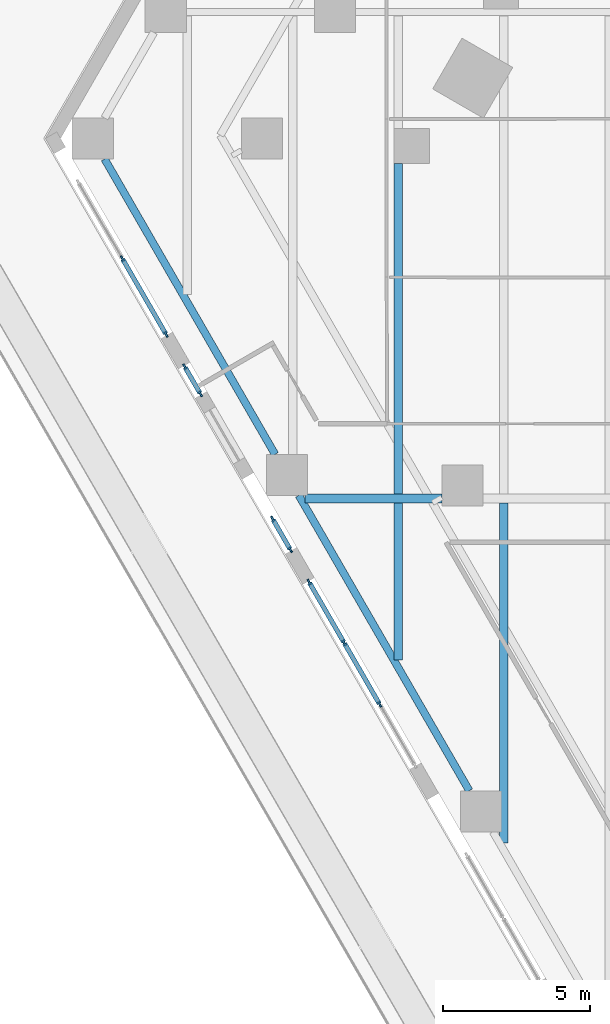
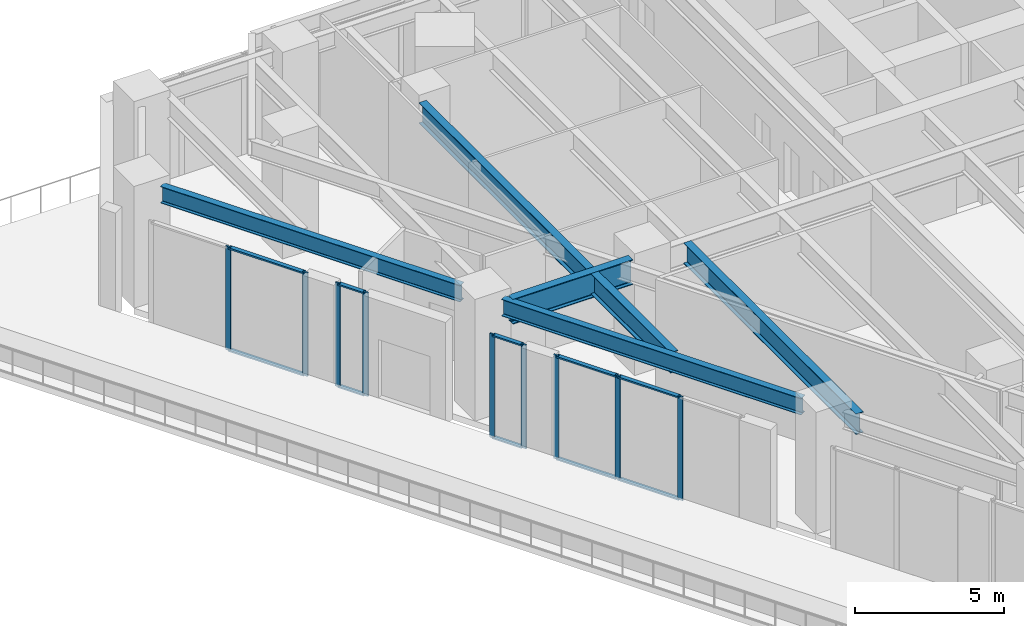
# One storey, part 6 of 31: 19 members, 6 beams, 4 elements without a shape of their own.
"""IFC4 building model written with IfcOpenShell, lengths in metres."""

import ifcopenshell
import ifcopenshell.guid

model = None  # the IFC model being written
_history = None  # IfcOwnerHistory: only IFC2X3 demands one
_inside = {}  # id of a spatial element -> (the spatial element, [elements in it])
_under = {}  # id of a project, library or spatial element -> (it, [spatial elements below it])
_declared = {}  # id of a project -> (the project, [libraries it declares])
_typed = {}  # id of a type object -> (the type object, [elements of that type])
_made_of = {}  # id of a material, layer set ... -> (it, [elements and type objects made of it])


def new_model(schema):
    """Start an empty IFC model of exactly this schema.

    Asked for "IFC4X3", IfcOpenShell would pick the latest addendum, in which some entities
    have other attributes; the version numbers below select the first issue.
    IFC2X3 requires an IfcOwnerHistory on every rooted entity: one is made here for all.
    """
    global model, _history
    if schema == "IFC4X3":
        model = ifcopenshell.file(schema_version=(4, 3, 0, 0))
    else:
        model = ifcopenshell.file(schema=schema)
    _inside.clear()
    _under.clear()
    _declared.clear()
    _typed.clear()
    _made_of.clear()
    _history = None
    if model.schema == "IFC2X3":
        org = make("IfcOrganization", Name="unknown")
        user = make(
            "IfcPersonAndOrganization",
            ThePerson=make("IfcPerson", FamilyName="unknown"),
            TheOrganization=org,
        )
        app = make(
            "IfcApplication",
            ApplicationDeveloper=org,
            Version="unknown",
            ApplicationFullName="unknown",
            ApplicationIdentifier="unknown",
        )
        _history = make(
            "IfcOwnerHistory",
            OwningUser=user,
            OwningApplication=app,
            ChangeAction="ADDED",
            CreationDate=0,
        )
    return model


def make(cls, **values):
    """One entity of the class cls with the attributes given. An attribute that is None is left unset."""
    return model.create_entity(
        cls, **{name: value for name, value in values.items() if value is not None}
    )


def rooted(cls, **values):
    """An entity with a GlobalId (a new one), such as an element, a storey or a relation."""
    return make(cls, GlobalId=ifcopenshell.guid.new(), OwnerHistory=_history, **values)


def si_unit(unit_type, name, prefix=None):
    """IfcSIUnit, for example si_unit("LENGTHUNIT", "METRE", prefix="MILLI")."""
    return make("IfcSIUnit", UnitType=unit_type, Prefix=prefix, Name=name)


def assignment(units):
    """IfcUnitAssignment: the units of a project."""
    return None if units is None else make("IfcUnitAssignment", Units=units)


def point(xyz):
    """IfcCartesianPoint."""
    return None if xyz is None else make("IfcCartesianPoint", Coordinates=xyz)


def direction(xyz):
    """IfcDirection."""
    return None if xyz is None else make("IfcDirection", DirectionRatios=xyz)


def frame(location, z_axis=None, x_axis=None):
    """IfcAxis2Placement3D, a coordinate frame: its origin and axes. An axis left out is left unset."""
    return make(
        "IfcAxis2Placement3D",
        Location=point(location),
        Axis=direction(z_axis),
        RefDirection=direction(x_axis),
    )


def frame_2d(location, x_axis=None):
    """IfcAxis2Placement2D, a coordinate frame in the plane: its origin and x axis."""
    return make(
        "IfcAxis2Placement2D", Location=point(location), RefDirection=direction(x_axis)
    )


def origin():
    """The frame at (0, 0, 0) with its axes left unset."""
    return frame((0.0, 0.0, 0.0))


def origin_2d():
    """The frame at (0, 0) in the plane with its x axis left unset."""
    return frame_2d((0.0, 0.0))


def place(relative_to, where):
    """IfcLocalPlacement: puts the frame where relative to a parent placement (None: the world)."""
    return make(
        "IfcLocalPlacement", PlacementRelTo=relative_to, RelativePlacement=where
    )


def context(
    kind, dimensions, precision=None, world=None, true_north=None, identifier=None
):
    """IfcGeometricRepresentationContext, for example the 3D "Model" context."""
    return make(
        "IfcGeometricRepresentationContext",
        ContextIdentifier=identifier,
        ContextType=kind,
        CoordinateSpaceDimension=dimensions,
        Precision=precision,
        WorldCoordinateSystem=world,
        TrueNorth=true_north,
    )


def subcontext(parent, identifier, kind, view, scale=None):
    """IfcGeometricRepresentationSubContext, for example "Body" below "Model"."""
    return make(
        "IfcGeometricRepresentationSubContext",
        ContextIdentifier=identifier,
        ContextType=kind,
        ParentContext=parent,
        TargetScale=scale,
        TargetView=view,
    )


def project(units=None, contexts=None):
    """IfcProject with its units and contexts."""
    return rooted(
        "IfcProject",
        Name="project",
        RepresentationContexts=contexts,
        UnitsInContext=assignment(units),
    )


def spatial(cls, under=None, at=None, **own):
    """A site, building, storey or space (cls), placed at a placement, below another one or the project."""
    s = rooted(cls, ObjectPlacement=at, **own)
    if under is not None:
        _under.setdefault(under.id(), (under, []))[1].append(s)
    return s


def profile(cls, at=None, kind="AREA", **sizes):
    """A parametric profile (cls). Its sizes go by their IFC names, for example OverallWidth=200.0."""
    return make(cls, ProfileType=kind, Position=at, **sizes)


def rectangle(**sizes):
    """IfcRectangleProfileDef."""
    return profile("IfcRectangleProfileDef", **sizes)


def i_section(**sizes):
    """IfcIShapeProfileDef."""
    return profile("IfcIShapeProfileDef", **sizes)


def extrude(swept, where, along, depth):
    """IfcExtrudedAreaSolid: the profile swept, set in the frame where, extruded along a direction by depth."""
    return make(
        "IfcExtrudedAreaSolid",
        SweptArea=swept,
        Position=where,
        ExtrudedDirection=direction(along),
        Depth=depth,
    )


def shape(context_of_items, identifier, shape_type, items):
    """IfcShapeRepresentation: the items that make up one representation, for example the "Body"."""
    return make(
        "IfcShapeRepresentation",
        ContextOfItems=context_of_items,
        RepresentationIdentifier=identifier,
        RepresentationType=shape_type,
        Items=items,
    )


def material(Name=None, Category=None):
    """IfcMaterial."""
    return make("IfcMaterial", Name=Name, Category=Category)


def material_profile(
    of_material, cross_section, Name=None, Category=None, Priority=None
):
    """IfcMaterialProfile: a cross section and its material."""
    return make(
        "IfcMaterialProfile",
        Name=Name,
        Material=of_material,
        Profile=cross_section,
        Priority=Priority,
        Category=Category,
    )


def profile_set(profiles, Name=None, composite=None):
    """IfcMaterialProfileSet."""
    return make(
        "IfcMaterialProfileSet",
        Name=Name,
        MaterialProfiles=profiles,
        CompositeProfile=composite,
    )


def made_of(thing, what):
    """Note that an element or type object is made of a material, layer set ...; save() writes the relation."""
    if what is not None:
        _made_of.setdefault(what.id(), (what, []))[1].append(thing)
    return thing


def type_object(cls, material=None, **own):
    """A type object (cls), such as IfcWallType, which elements share."""
    return made_of(rooted(cls, **own), material)


def element(
    cls,
    number,
    at=None,
    inside=None,
    cuts=None,
    type_object=None,
    material=None,
    context=None,
    identifier="Body",
    shape_type=None,
    held_by="IfcProductDefinitionShape",
    body=None,
    shapes=None,
    **own,
):
    """One element of the class cls, such as IfcWall. Its Tag is "e" and its number.

    at: its placement. inside: the storey or other place that contains it. cuts: it is an
    opening in that element (IfcRelVoidsElement). A single representation is given by context,
    identifier, shape_type and body (its items); several are given by shapes. held_by: the class
    of the entity that holds the representations. save() writes the other relations.
    """
    e = rooted(cls, Tag="e%d" % number, ObjectPlacement=at, **own)
    if body is not None:
        shapes = [shape(context, identifier, shape_type, body)]
    if shapes is not None:
        e.Representation = make(held_by, Representations=shapes)
    if inside is not None:
        _inside.setdefault(inside.id(), (inside, []))[1].append(e)
    if cuts is not None:
        rooted(
            "IfcRelVoidsElement", RelatingBuildingElement=cuts, RelatedOpeningElement=e
        )
    if type_object is not None:
        _typed.setdefault(type_object.id(), (type_object, []))[1].append(e)
    return made_of(e, material)


def aggregate(whole, parts):
    """IfcRelAggregates: a whole, such as a stair, and the parts it consists of."""
    return rooted("IfcRelAggregates", RelatingObject=whole, RelatedObjects=parts)


def save(model, path):
    """Write the relations noted so far, then the file.

    IfcRelAggregates (storeys below a building ...), IfcRelContainedInSpatialStructure (elements
    in a storey), IfcRelDefinesByType, IfcRelAssociatesMaterial and IfcRelDeclares: one each for
    every whole, place, type object, material and project.
    """
    for whole, parts in _under.values():
        aggregate(whole, parts)
    for where, things in _inside.values():
        rooted(
            "IfcRelContainedInSpatialStructure",
            RelatedElements=things,
            RelatingStructure=where,
        )
    for kind, things in _typed.values():
        rooted("IfcRelDefinesByType", RelatedObjects=things, RelatingType=kind)
    for what, things in _made_of.values():
        rooted("IfcRelAssociatesMaterial", RelatedObjects=things, RelatingMaterial=what)
    for by, libraries in _declared.values():
        rooted("IfcRelDeclares", RelatingContext=by, RelatedDefinitions=libraries)
    model.write(path)


model = new_model("IFC4")

# Units and contexts
model_context = context("Model", 3, precision=1e-05, world=origin(), true_north=direction((0.0, 1.0)))
body_context = subcontext(model_context, "Body", "Model", "MODEL_VIEW")
ifc_project = project(units=[si_unit("LENGTHUNIT", "METRE"), si_unit("AREAUNIT", "SQUARE_METRE"), si_unit("VOLUMEUNIT", "CUBIC_METRE"), si_unit("PLANEANGLEUNIT", "RADIAN"), si_unit("MASSUNIT", "GRAM", prefix="KILO")], contexts=[model_context])

# Site, building, storey
site_placement = place(None, origin())
site = spatial("IfcSite", under=ifc_project, at=site_placement, CompositionType="ELEMENT")
building_placement = place(site_placement, origin())
building = spatial("IfcBuilding", under=site, at=building_placement, Name="Aloe Facet Convention Tower", CompositionType="ELEMENT")
storey_placement = place(building_placement, frame((0.0, 0.0, 25.0)))
storey = spatial("IfcBuildingStorey", under=building, at=storey_placement, Name="L04", CompositionType="ELEMENT", Elevation=25.0)

# Curtain wall, members
ifc_material_1 = material(Name="Aluminium, anodised", Category="aluminium")
curtain_wall_type = type_object("IfcCurtainWallType", Name="EV-CW-HALL", PredefinedType="USERDEFINED", material=ifc_material_1)
curtain_wall_1_placement = place(storey_placement, origin())
curtain_wall_1 = element("IfcCurtainWall", 1, at=curtain_wall_1_placement, inside=storey, type_object=curtain_wall_type, Name="CW-L04-W02", ObjectType="UNITISED HALL GLAZING", PredefinedType="USERDEFINED")
ifc_material_2 = material(Name="Aluminium, anodised", Category="aluminium")
ifc_material_profile_1 = material_profile(ifc_material_2, rectangle(XDim=0.06494140625, YDim=0.199951171875, at=origin_2d()), Name="AL 65x200")
ifc_profile_set_1 = profile_set([ifc_material_profile_1], Name="Aluminium, anodised")
member_type_1 = type_object("IfcMemberType", Name="EV-MULL-HALL", PredefinedType="MULLION", material=ifc_profile_set_1)
member_1_placement = place(storey_placement, frame((45.3779296875, 125.187744140625, -0.25), z_axis=(0.0, 0.0, 1.0), x_axis=(0.866025403758, 0.500000000045, 0.0)))
member_1 = element("IfcMember", 2, at=member_1_placement, type_object=member_type_1, Name="CW-L04-W02 mullion 2", PredefinedType="MULLION", context=body_context, shape_type="SweptSolid", body=[
    extrude(rectangle(XDim=0.06494140625, YDim=0.199951171875, at=origin_2d()), origin(), (0.0, 0.0, 1.0), 4.262451171875),
])
member_2_placement = place(storey_placement, frame((46.875, 122.5947265625, -0.25), z_axis=(0.0, 0.0, 1.0), x_axis=(0.866025403758, 0.500000000045, 0.0)))
member_2 = element("IfcMember", 3, at=member_2_placement, type_object=member_type_1, Name="CW-L04-W02 mullion 3", PredefinedType="MULLION", context=body_context, shape_type="SweptSolid", body=[
    extrude(rectangle(XDim=0.06494140625, YDim=0.199951171875, at=origin_2d()), origin(), (0.0, 0.0, 1.0), 4.262451171875),
])

curtain_wall_2_placement = place(storey_placement, origin())
curtain_wall_2 = element("IfcCurtainWall", 4, at=curtain_wall_2_placement, inside=storey, type_object=curtain_wall_type, Name="CW-L04-W04A", ObjectType="UNITISED HALL GLAZING", PredefinedType="USERDEFINED")
member_3_placement = place(storey_placement, frame((47.507568359375, 121.499267578125, -0.25), z_axis=(0.0, 0.0, 1.0), x_axis=(0.866025403619, 0.500000000287, 0.0)))
member_3 = element("IfcMember", 5, at=member_3_placement, type_object=member_type_1, Name="CW-L04-W04A mullion 1", PredefinedType="MULLION", context=body_context, shape_type="SweptSolid", body=[
    extrude(rectangle(XDim=0.06494140625, YDim=0.199951171875, at=origin_2d()), origin(), (0.0, 0.0, 1.0), 4.262451171875),
])
member_4_placement = place(storey_placement, frame((48.046630859375, 120.5654296875, -0.25), z_axis=(0.0, 0.0, 1.0), x_axis=(0.866025403619, 0.500000000287, 0.0)))
member_4 = element("IfcMember", 6, at=member_4_placement, type_object=member_type_1, Name="CW-L04-W04A mullion 2", PredefinedType="MULLION", context=body_context, shape_type="SweptSolid", body=[
    extrude(rectangle(XDim=0.06494140625, YDim=0.199951171875, at=origin_2d()), origin(), (0.0, 0.0, 1.0), 4.262451171875),
])

curtain_wall_3_placement = place(storey_placement, origin())
curtain_wall_3 = element("IfcCurtainWall", 7, at=curtain_wall_3_placement, inside=storey, type_object=curtain_wall_type, Name="CW-L04-W04B", ObjectType="UNITISED HALL GLAZING", PredefinedType="USERDEFINED")
member_5_placement = place(storey_placement, frame((50.508056640625, 116.30224609375, -0.25), z_axis=(0.0, 0.0, 1.0), x_axis=(0.866025403671, 0.500000000196, 0.0)))
member_5 = element("IfcMember", 8, at=member_5_placement, type_object=member_type_1, Name="CW-L04-W04B mullion 1", PredefinedType="MULLION", context=body_context, shape_type="SweptSolid", body=[
    extrude(rectangle(XDim=0.06494140625, YDim=0.199951171875, at=origin_2d()), origin(), (0.0, 0.0, 1.0), 4.262451171875),
])
member_6_placement = place(storey_placement, frame((51.118408203125, 115.2451171875, -0.25), z_axis=(0.0, 0.0, 1.0), x_axis=(0.866025403671, 0.500000000196, 0.0)))
member_6 = element("IfcMember", 9, at=member_6_placement, type_object=member_type_1, Name="CW-L04-W04B mullion 2", PredefinedType="MULLION", context=body_context, shape_type="SweptSolid", body=[
    extrude(rectangle(XDim=0.06494140625, YDim=0.199951171875, at=origin_2d()), origin(), (0.0, 0.0, 1.0), 4.262451171875),
])

curtain_wall_4_placement = place(storey_placement, origin())
curtain_wall_4 = element("IfcCurtainWall", 10, at=curtain_wall_4_placement, inside=storey, type_object=curtain_wall_type, Name="CW-L04-W06", ObjectType="UNITISED HALL GLAZING", PredefinedType="USERDEFINED")
member_7_placement = place(storey_placement, frame((51.750732421875, 114.1494140625, -0.25), z_axis=(0.0, 0.0, 1.0), x_axis=(0.866025403758, 0.500000000045, 0.0)))
member_7 = element("IfcMember", 11, at=member_7_placement, type_object=member_type_1, Name="CW-L04-W06 mullion 1", PredefinedType="MULLION", context=body_context, shape_type="SweptSolid", body=[
    extrude(rectangle(XDim=0.06494140625, YDim=0.199951171875, at=origin_2d()), origin(), (0.0, 0.0, 1.0), 4.262451171875),
])
member_8_placement = place(storey_placement, frame((52.948974609375, 112.07421875, -0.25), z_axis=(0.0, 0.0, 1.0), x_axis=(0.866025403758, 0.500000000045, 0.0)))
member_8 = element("IfcMember", 12, at=member_8_placement, type_object=member_type_1, Name="CW-L04-W06 mullion 2", PredefinedType="MULLION", context=body_context, shape_type="SweptSolid", body=[
    extrude(rectangle(XDim=0.06494140625, YDim=0.199951171875, at=origin_2d()), origin(), (0.0, 0.0, 1.0), 4.262451171875),
])
member_9_placement = place(storey_placement, frame((54.16357421875, 109.970703125, -0.25), z_axis=(0.0, 0.0, 1.0), x_axis=(0.866025403758, 0.500000000045, 0.0)))
member_9 = element("IfcMember", 13, at=member_9_placement, type_object=member_type_1, Name="CW-L04-W06 mullion 3", PredefinedType="MULLION", context=body_context, shape_type="SweptSolid", body=[
    extrude(rectangle(XDim=0.06494140625, YDim=0.199951171875, at=origin_2d()), origin(), (0.0, 0.0, 1.0), 4.262451171875),
])

# Member
ifc_material_3 = material(Name="Aluminium, anodised", Category="aluminium")
ifc_material_profile_2 = material_profile(ifc_material_3, rectangle(XDim=0.159912109375, YDim=0.06494140625, at=origin_2d()), Name="AL 160x65")
ifc_profile_set_2 = profile_set([ifc_material_profile_2], Name="Aluminium, anodised")
member_type_2 = type_object("IfcMemberType", Name="EV-TRAN-HALL", PredefinedType="USERDEFINED", material=ifc_profile_set_2)
member_10_placement = place(storey_placement, frame((45.39404296875, 125.15966796875, -0.217529296875), z_axis=(0.49998458238, -0.866034304969, 0.0), x_axis=(0.866034304969, 0.49998458238, 0.0)))
member_10 = element("IfcMember", 14, at=member_10_placement, type_object=member_type_2, Name="CW-L04-W02 transom 2.1", ObjectType="TRANSOM", PredefinedType="USERDEFINED", context=body_context, shape_type="SweptSolid", body=[
    extrude(rectangle(XDim=0.159912109375, YDim=0.06494140625, at=origin_2d()), origin(), (0.0, 0.0, 1.0), 2.92919921875),
])

member_11_placement = place(storey_placement, frame((45.39404296875, 125.15966796875, 3.97998046875), z_axis=(0.49998458238, -0.866034304969, 0.0), x_axis=(0.866034304969, 0.49998458238, 0.0)))
member_11 = element("IfcMember", 15, at=member_11_placement, type_object=member_type_2, Name="CW-L04-W02 transom 2.2", ObjectType="TRANSOM", PredefinedType="USERDEFINED", context=body_context, shape_type="SweptSolid", body=[
    extrude(rectangle(XDim=0.159912109375, YDim=0.06494140625, at=origin_2d()), origin(), (0.0, 0.0, 1.0), 2.92919921875),
])

aggregate(curtain_wall_1, [member_1, member_2, member_10, member_11])

member_12_placement = place(storey_placement, frame((47.523681640625, 121.47119140625, -0.217529296875), z_axis=(0.500076921396, -0.865980988641, 0.0), x_axis=(0.865980988641, 0.500076921396, 0.0)))
member_12 = element("IfcMember", 16, at=member_12_placement, type_object=member_type_2, Name="CW-L04-W04A transom 1.1", ObjectType="TRANSOM", PredefinedType="USERDEFINED", context=body_context, shape_type="SweptSolid", body=[
    extrude(rectangle(XDim=0.159912109375, YDim=0.06494140625, at=origin_2d()), origin(), (0.0, 0.0, 1.0), 1.013427734375),
])

member_13_placement = place(storey_placement, frame((47.523681640625, 121.47119140625, 3.97998046875), z_axis=(0.500076921396, -0.865980988641, 0.0), x_axis=(0.865980988641, 0.500076921396, 0.0)))
member_13 = element("IfcMember", 17, at=member_13_placement, type_object=member_type_2, Name="CW-L04-W04A transom 1.2", ObjectType="TRANSOM", PredefinedType="USERDEFINED", context=body_context, shape_type="SweptSolid", body=[
    extrude(rectangle(XDim=0.159912109375, YDim=0.06494140625, at=origin_2d()), origin(), (0.0, 0.0, 1.0), 1.013427734375),
])

aggregate(curtain_wall_2, [member_3, member_4, member_12, member_13])

member_14_placement = place(storey_placement, frame((50.524169921875, 116.27392578125, -0.217529296875), z_axis=(0.500069914133, -0.865985035078, 0.0), x_axis=(0.865985035078, 0.500069914133, 0.0)))
member_14 = element("IfcMember", 18, at=member_14_placement, type_object=member_type_2, Name="CW-L04-W04B transom 1.1", ObjectType="TRANSOM", PredefinedType="USERDEFINED", context=body_context, shape_type="SweptSolid", body=[
    extrude(rectangle(XDim=0.159912109375, YDim=0.06494140625, at=origin_2d()), origin(), (0.0, 0.0, 1.0), 1.155517578125),
])

member_15_placement = place(storey_placement, frame((50.524169921875, 116.27392578125, 3.97998046875), z_axis=(0.500069914133, -0.865985035078, 0.0), x_axis=(0.865985035078, 0.500069914133, 0.0)))
member_15 = element("IfcMember", 19, at=member_15_placement, type_object=member_type_2, Name="CW-L04-W04B transom 1.2", ObjectType="TRANSOM", PredefinedType="USERDEFINED", context=body_context, shape_type="SweptSolid", body=[
    extrude(rectangle(XDim=0.159912109375, YDim=0.06494140625, at=origin_2d()), origin(), (0.0, 0.0, 1.0), 1.155517578125),
])

aggregate(curtain_wall_3, [member_5, member_6, member_14, member_15])

member_16_placement = place(storey_placement, frame((51.76708984375, 114.121337890625, -0.217529296875), z_axis=(0.500024603663, -0.866011198387, 0.0), x_axis=(0.866011198387, 0.500024603663, 0.0)))
member_16 = element("IfcMember", 20, at=member_16_placement, type_object=member_type_2, Name="CW-L04-W06 transom 1.1", ObjectType="TRANSOM", PredefinedType="USERDEFINED", context=body_context, shape_type="SweptSolid", body=[
    extrude(rectangle(XDim=0.159912109375, YDim=0.06494140625, at=origin_2d()), origin(), (0.0, 0.0, 1.0), 2.33154296875),
])

member_17_placement = place(storey_placement, frame((51.76708984375, 114.121337890625, 3.97998046875), z_axis=(0.500024603663, -0.866011198387, 0.0), x_axis=(0.866011198387, 0.500024603663, 0.0)))
member_17 = element("IfcMember", 21, at=member_17_placement, type_object=member_type_2, Name="CW-L04-W06 transom 1.2", ObjectType="TRANSOM", PredefinedType="USERDEFINED", context=body_context, shape_type="SweptSolid", body=[
    extrude(rectangle(XDim=0.159912109375, YDim=0.06494140625, at=origin_2d()), origin(), (0.0, 0.0, 1.0), 2.33154296875),
])

member_18_placement = place(storey_placement, frame((52.96533203125, 112.0458984375, -0.217529296875), z_axis=(0.49999364752, -0.86602907136, 0.0), x_axis=(0.86602907136, 0.49999364752, 0.0)))
member_18 = element("IfcMember", 22, at=member_18_placement, type_object=member_type_2, Name="CW-L04-W06 transom 2.1", ObjectType="TRANSOM", PredefinedType="USERDEFINED", context=body_context, shape_type="SweptSolid", body=[
    extrude(rectangle(XDim=0.159912109375, YDim=0.06494140625, at=origin_2d()), origin(), (0.0, 0.0, 1.0), 2.36376953125),
])

member_19_placement = place(storey_placement, frame((52.96533203125, 112.0458984375, 3.97998046875), z_axis=(0.49999364752, -0.86602907136, 0.0), x_axis=(0.86602907136, 0.49999364752, 0.0)))
member_19 = element("IfcMember", 23, at=member_19_placement, type_object=member_type_2, Name="CW-L04-W06 transom 2.2", ObjectType="TRANSOM", PredefinedType="USERDEFINED", context=body_context, shape_type="SweptSolid", body=[
    extrude(rectangle(XDim=0.159912109375, YDim=0.06494140625, at=origin_2d()), origin(), (0.0, 0.0, 1.0), 2.36376953125),
])

aggregate(curtain_wall_4, [member_7, member_8, member_9, member_16, member_17, member_18, member_19])

# Beams
ifc_material_4 = material(Name="Steel S355", Category="steel")
ifc_material_profile_3 = material_profile(ifc_material_4, i_section(OverallWidth=0.305419921875, OverallDepth=1.02587890625, WebThickness=0.02001953125, FlangeThickness=0.031005859375, FilletRadius=0.030029296875, at=origin_2d()), Name="UB 1016x305x349")
ifc_profile_set_3 = profile_set([ifc_material_profile_3], Name="Steel S355")
beam_type_1 = type_object("IfcBeamType", Name="SF-B-UB1016x305x349", PredefinedType="BEAM", material=ifc_profile_set_3)
beam_1_placement = place(storey_placement, frame((51.618896484375, 117.0, 4.18701171875), z_axis=(1.0, 0.0, 0.0), x_axis=(0.0, 1.0, 0.0)))
element("IfcBeam", 24, at=beam_1_placement, inside=storey, type_object=beam_type_1, Name="Floor beam FB-L05-020", PredefinedType="BEAM", context=body_context, shape_type="SweptSolid", body=[
    extrude(i_section(OverallWidth=0.305419921875, OverallDepth=1.02587890625, WebThickness=0.02001953125, FlangeThickness=0.031005859375, FilletRadius=0.030029296875, at=origin_2d()), origin(), (0.0, 0.0, 1.0), 4.6650390625),
])
ifc_material_5 = material(Name="Steel S355", Category="steel")
ifc_material_profile_4 = material_profile(ifc_material_5, i_section(OverallWidth=0.25439453125, OverallDepth=0.6875, WebThickness=0.01318359375, FlangeThickness=0.02099609375, FilletRadius=0.01513671875, at=origin_2d()), Name="UB 686x254x152")
ifc_profile_set_4 = profile_set([ifc_material_profile_4], Name="Steel S355")
beam_type_2 = type_object("IfcBeamType", Name="SF-B-UB686x254x152", PredefinedType="BEAM", material=ifc_profile_set_4)
beam_2_placement = place(storey_placement, frame((50.593017578125, 118.5048828125, 4.356201171875), z_axis=(-0.499994831492, 0.866028387804, 0.0), x_axis=(-0.866028387804, -0.499994831492, 0.0)))
element("IfcBeam", 25, at=beam_2_placement, inside=storey, type_object=beam_type_2, Name="Floor beam FB-L05-003", PredefinedType="BEAM", context=body_context, shape_type="SweptSolid", body=[
    extrude(i_section(OverallWidth=0.25439453125, OverallDepth=0.6875, WebThickness=0.01318359375, FlangeThickness=0.02099609375, FilletRadius=0.01513671875, at=origin_2d()), origin(), (0.0, 0.0, 1.0), 11.63818359375),
])
beam_3_placement = place(storey_placement, frame((57.220947265625, 107.02490234375, 4.356201171875), z_axis=(-0.499989964599, 0.866031197649, 0.0), x_axis=(-0.866031197649, -0.499989964599, 0.0)))
element("IfcBeam", 26, at=beam_3_placement, inside=storey, type_object=beam_type_2, Name="Floor beam FB-L05-005", PredefinedType="BEAM", context=body_context, shape_type="SweptSolid", body=[
    extrude(i_section(OverallWidth=0.25439453125, OverallDepth=0.6875, WebThickness=0.01318359375, FlangeThickness=0.02099609375, FilletRadius=0.01513671875, at=origin_2d()), origin(), (0.0, 0.0, 1.0), 11.639404296875),
])
ifc_material_6 = material(Name="Steel S355", Category="steel")
ifc_material_profile_5 = material_profile(ifc_material_6, i_section(OverallWidth=0.293701171875, OverallDepth=0.850830078125, WebThickness=0.01611328125, FlangeThickness=0.02685546875, FilletRadius=0.017822265625, at=origin_2d()), Name="UB 838x292x226")
ifc_profile_set_5 = profile_set([ifc_material_profile_5], Name="Steel S355")
beam_type_3 = type_object("IfcBeamType", Name="SF-B-UB838x292x226", PredefinedType="BEAM", material=ifc_profile_set_5)
beam_4_placement = place(storey_placement, frame((54.800048828125, 111.482666015625, 4.2744140625), z_axis=(0.0, 1.0, 0.0), x_axis=(-1.0, 0.0, 0.0)))
element("IfcBeam", 27, at=beam_4_placement, inside=storey, type_object=beam_type_3, Name="Floor beam FB-L05-030", PredefinedType="BEAM", context=body_context, shape_type="SweptSolid", body=[
    extrude(i_section(OverallWidth=0.293701171875, OverallDepth=0.850830078125, WebThickness=0.01611328125, FlangeThickness=0.02685546875, FilletRadius=0.017822265625, at=origin_2d()), origin(), (0.0, 0.0, 1.0), 5.36474609375),
])
beam_5_placement = place(storey_placement, frame((54.800048828125, 117.152587890625, 4.2744140625), z_axis=(0.0, 1.0, 0.0), x_axis=(-1.0, 0.0, 0.0)))
element("IfcBeam", 28, at=beam_5_placement, inside=storey, type_object=beam_type_3, Name="Floor beam FB-L05-031", PredefinedType="BEAM", context=body_context, shape_type="SweptSolid", body=[
    extrude(i_section(OverallWidth=0.293701171875, OverallDepth=0.850830078125, WebThickness=0.01611328125, FlangeThickness=0.02685546875, FilletRadius=0.017822265625, at=origin_2d()), origin(), (0.0, 0.0, 1.0), 11.275390625),
])
beam_6_placement = place(storey_placement, frame((58.39990234375, 105.247314453125, 4.2744140625), z_axis=(0.0, 1.0, 0.0), x_axis=(-1.0, 0.0, 0.0)))
element("IfcBeam", 29, at=beam_6_placement, inside=storey, type_object=beam_type_3, Name="Floor beam FB-L05-033", PredefinedType="BEAM", context=body_context, shape_type="SweptSolid", body=[
    extrude(i_section(OverallWidth=0.293701171875, OverallDepth=0.850830078125, WebThickness=0.01611328125, FlangeThickness=0.02685546875, FilletRadius=0.017822265625, at=origin_2d()), origin(), (0.0, 0.0, 1.0), 11.60009765625),
])

save(model, "model.ifc")
